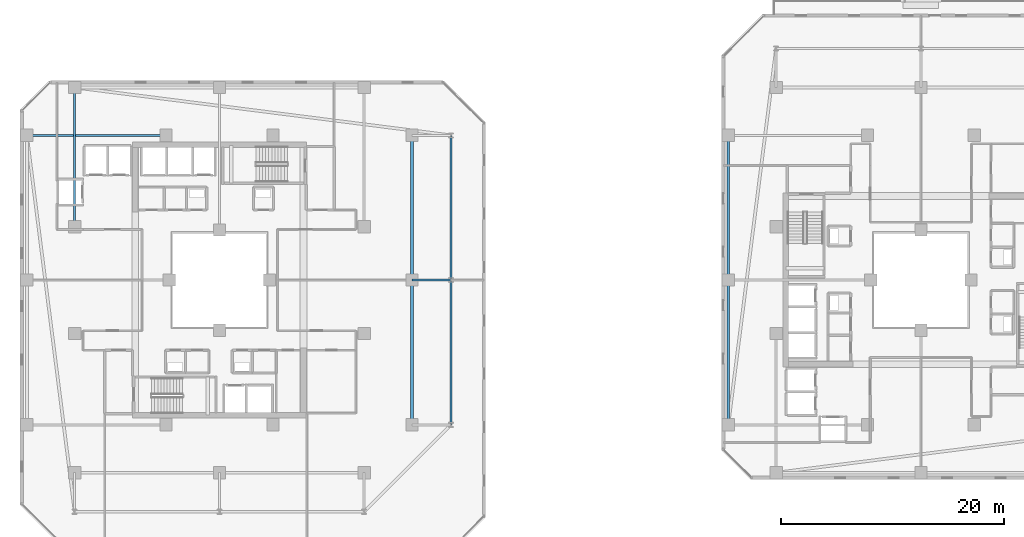
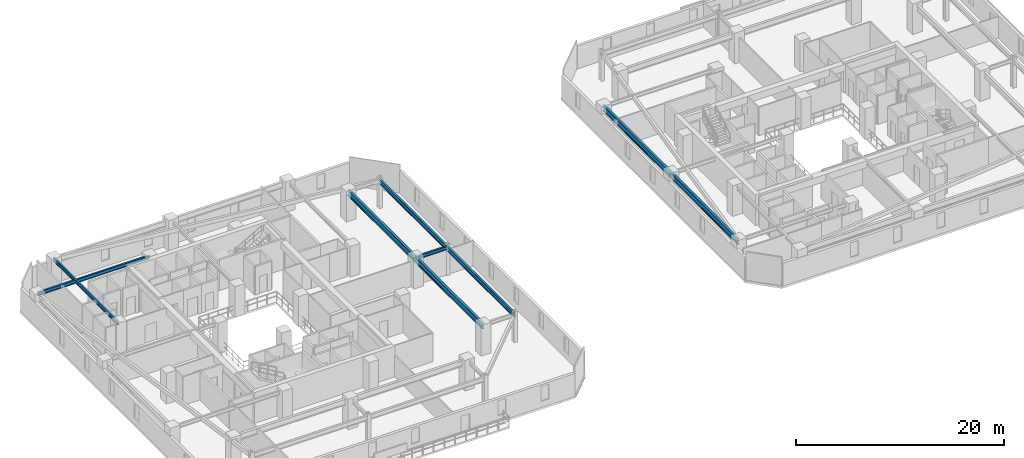
# One storey, part 7 of 32: 9 beams.
"""IFC4 building model written with IfcOpenShell, lengths in metres."""

from ifc_helpers import new_model, si_unit, direction, frame, origin, origin_2d, place, context, subcontext, project, spatial, i_section, extrude, material, material_profile, profile_set, type_object, element, save


model = new_model("IFC4")

# Units and contexts
model_context = context("Model", 3, precision=1e-05, world=origin(), true_north=direction((0.0, 1.0)))
body_context = subcontext(model_context, "Body", "Model", "MODEL_VIEW")
ifc_project = project(units=[si_unit("LENGTHUNIT", "METRE"), si_unit("AREAUNIT", "SQUARE_METRE"), si_unit("VOLUMEUNIT", "CUBIC_METRE"), si_unit("PLANEANGLEUNIT", "RADIAN"), si_unit("MASSUNIT", "GRAM", prefix="KILO")], contexts=[model_context])

# Site, building, storey
site_placement = place(None, origin())
site = spatial("IfcSite", under=ifc_project, at=site_placement, CompositionType="ELEMENT")
building_placement = place(site_placement, origin())
building = spatial("IfcBuilding", under=site, at=building_placement, Name="Thornwick Lancets Civic Towers", CompositionType="ELEMENT")
storey_placement = place(building_placement, frame((0.0, 0.0, 156.300048828125)))
storey = spatial("IfcBuildingStorey", under=building, at=storey_placement, Name="L41", CompositionType="ELEMENT", Elevation=156.300048828125)

# Beams
ifc_material = material(Name="Steel S355JR", Category="steel")
ifc_material_profile_1 = material_profile(ifc_material, i_section(OverallWidth=0.210693359375, OverallDepth=0.53955078125, WebThickness=0.01171875, FlangeThickness=0.018798828125, FilletRadius=0.0126953125, at=origin_2d()), Name="UKB 533x210x109")
ifc_profile_set_1 = profile_set([ifc_material_profile_1], Name="Steel S355JR")
beam_type_1 = type_object("IfcBeamType", Name="BM_EDGE_533_109", PredefinedType="SPANDREL", material=ifc_profile_set_1)
beam_1_placement = place(storey_placement, frame((46.300048828125, 14.0, 3.09033203125), z_axis=(0.0, 1.0, 0.0), x_axis=(-1.0, 0.0, 0.0)))
element("IfcBeam", 1, at=beam_1_placement, inside=storey, type_object=beam_type_1, Name="BM-EDGE-L41-A-S1-1", PredefinedType="SPANDREL", context=body_context, shape_type="SweptSolid", body=[
    extrude(i_section(OverallWidth=0.210693359375, OverallDepth=0.53955078125, WebThickness=0.01171875, FlangeThickness=0.018798828125, FilletRadius=0.0126953125, at=origin_2d()), origin(), (0.0, 0.0, 1.0), 13.0),
])
beam_2_placement = place(storey_placement, frame((46.300048828125, 27.080078125, 3.09033203125), z_axis=(0.0, 1.0, 0.0), x_axis=(-1.0, 0.0, 0.0)))
element("IfcBeam", 2, at=beam_2_placement, inside=storey, type_object=beam_type_1, Name="BM-EDGE-L41-A-S1-2", PredefinedType="SPANDREL", context=body_context, shape_type="SweptSolid", body=[
    extrude(i_section(OverallWidth=0.210693359375, OverallDepth=0.53955078125, WebThickness=0.01171875, FlangeThickness=0.018798828125, FilletRadius=0.0126953125, at=origin_2d()), origin(), (0.0, 0.0, 1.0), 12.919921875),
])
ifc_material_profile_2 = material_profile(ifc_material, i_section(OverallWidth=0.255859375, OverallDepth=0.69287109375, WebThickness=0.014404296875, FlangeThickness=0.023681640625, FilletRadius=0.01513671875, at=origin_2d()), Name="UKB 686x254x170")
ifc_profile_set_2 = profile_set([ifc_material_profile_2], Name="Steel S355JR")
beam_type_2 = type_object("IfcBeamType", Name="BM_GIRD_686_170", PredefinedType="BEAM", material=ifc_profile_set_2)
beam_3_placement = place(storey_placement, frame((42.800048828125, 14.0, 3.013427734375), z_axis=(0.0, 1.0, 0.0), x_axis=(-1.0, 0.0, 0.0)))
element("IfcBeam", 3, at=beam_3_placement, inside=storey, type_object=beam_type_2, Name="BM-SPINE-L41-A-3-4", PredefinedType="BEAM", context=body_context, shape_type="SweptSolid", body=[
    extrude(i_section(OverallWidth=0.255859375, OverallDepth=0.69287109375, WebThickness=0.014404296875, FlangeThickness=0.023681640625, FilletRadius=0.01513671875, at=origin_2d()), origin(), (0.0, 0.0, 1.0), 13.0),
])
beam_4_placement = place(storey_placement, frame((42.800048828125, 27.080078125, 3.013427734375), z_axis=(0.0, 1.0, 0.0), x_axis=(-1.0, 0.0, 0.0)))
element("IfcBeam", 4, at=beam_4_placement, inside=storey, type_object=beam_type_2, Name="BM-SPINE-L41-A-4-5", PredefinedType="BEAM", context=body_context, shape_type="SweptSolid", body=[
    extrude(i_section(OverallWidth=0.255859375, OverallDepth=0.69287109375, WebThickness=0.014404296875, FlangeThickness=0.023681640625, FilletRadius=0.01513671875, at=origin_2d()), origin(), (0.0, 0.0, 1.0), 12.919921875),
])
beam_5_placement = place(storey_placement, frame((71.199951171875, 14.0, 3.013427734375), z_axis=(0.0, 1.0, 0.0), x_axis=(-1.0, 0.0, 0.0)))
element("IfcBeam", 5, at=beam_5_placement, inside=storey, type_object=beam_type_2, Name="BM-SPINE-L41-B-6-7", PredefinedType="BEAM", context=body_context, shape_type="SweptSolid", body=[
    extrude(i_section(OverallWidth=0.255859375, OverallDepth=0.69287109375, WebThickness=0.014404296875, FlangeThickness=0.023681640625, FilletRadius=0.01513671875, at=origin_2d()), origin(), (0.0, 0.0, 1.0), 13.0),
])
beam_6_placement = place(storey_placement, frame((71.199951171875, 27.080078125, 3.013427734375), z_axis=(0.0, 1.0, 0.0), x_axis=(-1.0, 0.0, 0.0)))
element("IfcBeam", 6, at=beam_6_placement, inside=storey, type_object=beam_type_2, Name="BM-SPINE-L41-B-7-8", PredefinedType="BEAM", context=body_context, shape_type="SweptSolid", body=[
    extrude(i_section(OverallWidth=0.255859375, OverallDepth=0.69287109375, WebThickness=0.014404296875, FlangeThickness=0.023681640625, FilletRadius=0.01513671875, at=origin_2d()), origin(), (0.0, 0.0, 1.0), 12.919921875),
])
ifc_material_profile_3 = material_profile(ifc_material, i_section(OverallWidth=0.179443359375, OverallDepth=0.412841796875, WebThickness=0.009521484375, FlangeThickness=0.01611328125, FilletRadius=0.01025390625, at=origin_2d()), Name="UKB 406x178x74")
ifc_profile_set_3 = profile_set([ifc_material_profile_3], Name="Steel S355JR")
beam_type_3 = type_object("IfcBeamType", Name="BM_JOIST_406_74", PredefinedType="JOIST", material=ifc_profile_set_3)
beam_7_placement = place(storey_placement, frame((42.800048828125, 27.0, 3.153564453125), z_axis=(1.0, 0.0, 0.0), x_axis=(0.0, 1.0, 0.0)))
element("IfcBeam", 7, at=beam_7_placement, inside=storey, type_object=beam_type_3, Name="BM-RAD-L41-A05", PredefinedType="JOIST", context=body_context, shape_type="SweptSolid", body=[
    extrude(i_section(OverallWidth=0.179443359375, OverallDepth=0.412841796875, WebThickness=0.009521484375, FlangeThickness=0.01611328125, FilletRadius=0.01025390625, at=origin_2d()), origin(), (0.0, 0.0, 1.0), 3.5),
])
for number, where, z_axis, x_axis, name in (
    (8, (12.5, 31.800048828125, 3.153564453125), (0.0, 1.0, 0.0), (-1.0, 0.0, 0.0), "BM-RADIN-L41-A07"),
    (9, (20.699951171875, 40.0, 3.153564453125), (-1.0, 0.0, 0.0), (0.0, -1.0, 0.0), "BM-RADIN-L41-A12"),
):
    element("IfcBeam", number, at=place(storey_placement, frame(where, z_axis=z_axis, x_axis=x_axis)), inside=storey, type_object=beam_type_3, Name=name, PredefinedType="JOIST", context=body_context, shape_type="SweptSolid", body=[
        extrude(i_section(OverallWidth=0.179443359375, OverallDepth=0.412841796875, WebThickness=0.009521484375, FlangeThickness=0.01611328125, FilletRadius=0.01025390625, at=origin_2d()), origin(), (0.0, 0.0, 1.0), 12.5),
    ])

save(model, "model.ifc")
